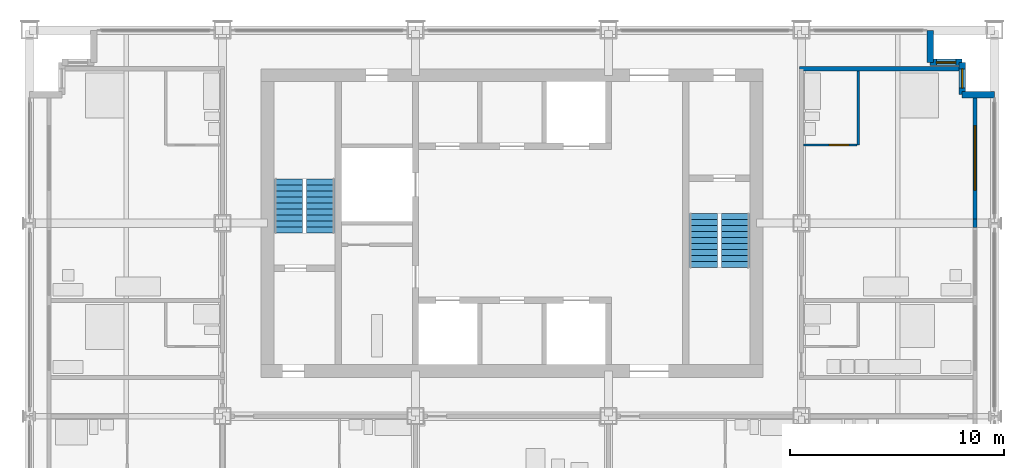
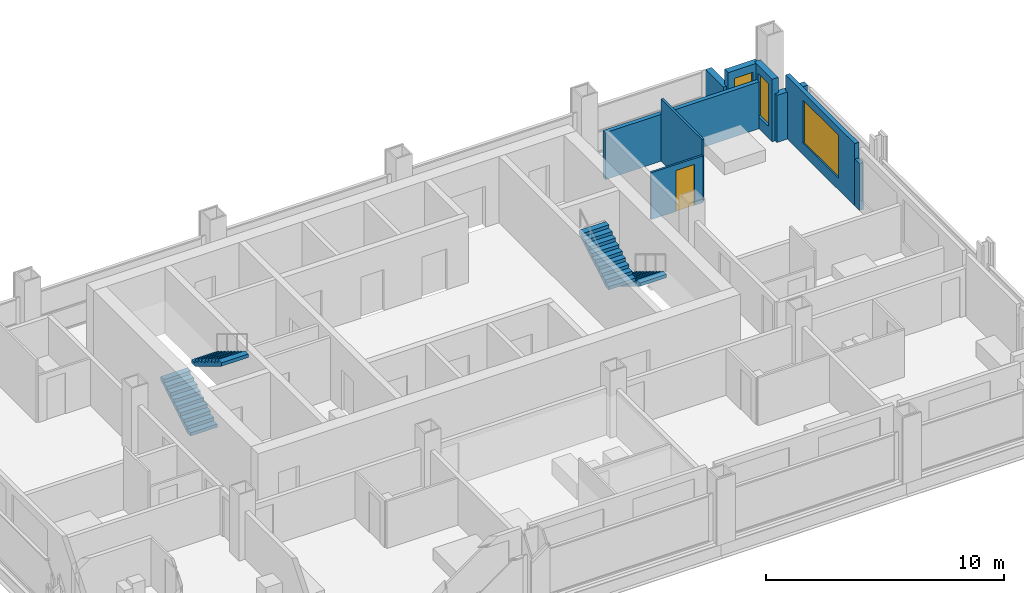
# One storey, part 10 of 13: 9 walls, 4 stair flights, 3 windows, 1 door, 4 openings, 2 elements without a shape of their own.
"""IFC4 building model written with IfcOpenShell, lengths in metres."""

from ifc_helpers import new_model, si_unit, direction, frame, frame_2d, origin, place, context, subcontext, project, spatial, polyline, rectangle, outline, extrude, material, layer, layer_set, type_object, element, fill, aggregate, save


model = new_model("IFC4")

# Units and contexts
model_context = context("Model", 3, precision=1e-05, world=origin(), true_north=direction((0.0, 1.0)))
body_context = subcontext(model_context, "Body", "Model", "MODEL_VIEW")
ifc_project = project(units=[si_unit("LENGTHUNIT", "METRE"), si_unit("AREAUNIT", "SQUARE_METRE"), si_unit("VOLUMEUNIT", "CUBIC_METRE"), si_unit("PLANEANGLEUNIT", "RADIAN"), si_unit("MASSUNIT", "GRAM", prefix="KILO")], contexts=[model_context])

# Site, building, storey
site_placement = place(None, origin())
site = spatial("IfcSite", under=ifc_project, at=site_placement, CompositionType="ELEMENT")
building_placement = place(site_placement, origin())
building = spatial("IfcBuilding", under=site, at=building_placement, Name="Loomwork Tower", CompositionType="ELEMENT")
storey_placement = place(building_placement, frame((0.0, 0.0, 177.39990234375)))
storey = spatial("IfcBuildingStorey", under=building, at=storey_placement, Name="L48", CompositionType="ELEMENT", Elevation=177.39990234375)

# Walls
ifc_material_1 = material(Name="Gypsum board on steel studs, one-hour", Category="steel")
ifc_layer_1 = layer(ifc_material_1, 0.199951171875)
ifc_layer_set_1 = layer_set([ifc_layer_1], Name="Corridor wall 200")
wall_type_1 = type_object("IfcWallType", Name="Corridor wall 200", PredefinedType="PARTITIONING", material=ifc_layer_set_1)
wall_1_placement = place(storey_placement, frame((35.89990234375, 25.199951171875, 0.0), z_axis=(0.0, 0.0, 1.0), x_axis=(1.0, 0.0, 0.0)))
element("IfcWall", 1, at=wall_1_placement, inside=storey, type_object=wall_type_1, Name="East band end wall N", PredefinedType="PARTITIONING", context=body_context, shape_type="SweptSolid", body=[
    extrude(rectangle(XDim=7.4501953125, YDim=0.199951171875, at=frame_2d((3.72509765625, 0.0))), origin(), (0.0, 0.0, 1.0), 2.404052734375),
])
ifc_material_2 = material(Name="Cement board on steel studs", Category="steel")
ifc_layer_2 = layer(ifc_material_2, 0.10009765625)
ifc_layer_set_2 = layer_set([ifc_layer_2], Name="En-suite partition 100")
wall_type_2 = type_object("IfcWallType", Name="En-suite partition 100", PredefinedType="PARTITIONING", material=ifc_layer_set_2)
wall_2_placement = place(storey_placement, frame((38.64990234375, 21.64990234375, 0.0), z_axis=(0.0, 0.0, 1.0), x_axis=(0.0, 1.0, 0.0)))
element("IfcWall", 2, at=wall_2_placement, inside=storey, type_object=wall_type_2, Name="En-suite wall L48 room 9", PredefinedType="PARTITIONING", context=body_context, shape_type="SweptSolid", body=[
    extrude(rectangle(XDim=3.4501953125, YDim=0.10009765625, at=frame_2d((1.72509765625, 0.0))), origin(), (0.0, 0.0, 1.0), 3.2001953125),
])

# Wall, opening, door
wall_3_placement = place(storey_placement, frame((36.10009765625, 21.64990234375, 0.0), z_axis=(0.0, 0.0, 1.0), x_axis=(1.0, 0.0, 0.0)))
wall_3 = element("IfcWall", 3, at=wall_3_placement, inside=storey, type_object=wall_type_2, Name="En-suite side wall L48 room 9", PredefinedType="PARTITIONING", context=body_context, shape_type="SweptSolid", body=[
    extrude(rectangle(XDim=2.5, YDim=0.10009765625, at=frame_2d((1.25, 0.0))), origin(), (0.0, 0.0, 1.0), 2.404052734375),
])
opening_1_placement = place(wall_3_placement, frame((1.199951171875, 0.0, 0.0)))
opening_1 = element("IfcOpeningElement", 4, at=opening_1_placement, cuts=wall_3, Name="Opening D2", PredefinedType="OPENING", context=body_context, shape_type="SweptSolid", body=[
    extrude(rectangle(XDim=0.89990234375, YDim=2.10009765625, at=frame_2d((0.449951171875, 1.050048828125))), frame((0.0, 0.06005859375, 0.0), z_axis=(0.0, -1.0, 0.0), x_axis=(1.0, 0.0, 0.0)), (0.0, 0.0, 1.0), 0.1201171875),
])
ifc_material_3 = material(Name="Hollow metal door and frame")
door_type = type_object("IfcDoorType", Name="En-suite door 900", OperationType="SINGLE_SWING_LEFT", PredefinedType="DOOR", material=ifc_material_3)
door_placement = place(opening_1_placement, origin())
door = element("IfcDoor", 5, at=door_placement, inside=storey, type_object=door_type, Name="En-suite door room 9", OperationType="SINGLE_SWING_RIGHT", OverallHeight=2.10009765625, OverallWidth=0.89990234375, PredefinedType="DOOR", context=body_context, shape_type="SweptSolid", body=[
    extrude(rectangle(XDim=0.89990234375, YDim=2.10009765625, at=frame_2d((0.449951171875, 1.050048828125))), frame((0.0, 0.02490234375, 0.0), z_axis=(0.0, -1.0, 0.0), x_axis=(1.0, 0.0, 0.0)), (0.0, 0.0, 1.0), 0.050048828125),
])
fill(opening_1, door)

# Wall
ifc_material_4 = material(Name="Insulated steel stud wall with gypsum lining", Category="steel")
ifc_layer_3 = layer(ifc_material_4, 0.199951171875)
ifc_layer_set_3 = layer_set([ifc_layer_3], Name="Inner skin wall 200")
wall_type_3 = type_object("IfcWallType", Name="Inner skin wall 200", PredefinedType="SOLIDWALL", material=ifc_layer_set_3)
wall_4_placement = place(storey_placement, frame((44.10009765625, 17.80615234375, 0.0), z_axis=(0.0, 0.0, 1.0), x_axis=(0.0, 1.0, 0.0)))
element("IfcWall", 6, at=wall_4_placement, inside=storey, type_object=wall_type_3, Name="Inner skin wall E bay 6", PredefinedType="SOLIDWALL", context=body_context, shape_type="SweptSolid", body=[
    extrude(rectangle(XDim=0.3876953125, YDim=0.199951171875, at=frame_2d((0.19384765625, 0.0))), origin(), (0.0, 0.0, 1.0), 2.404052734375),
])

# Wall, opening, window
wall_5_placement = place(storey_placement, frame((44.10009765625, 18.19384765625, 0.0), z_axis=(0.0, 0.0, 1.0), x_axis=(0.0, 1.0, 0.0)))
wall_5 = element("IfcWall", 7, at=wall_5_placement, inside=storey, type_object=wall_type_3, Name="Inner skin wall E bay 7", PredefinedType="SOLIDWALL", context=body_context, shape_type="SweptSolid", body=[
    extrude(rectangle(XDim=5.80615234375, YDim=0.199951171875, at=frame_2d((2.903076171875, 0.0))), origin(), (0.0, 0.0, 1.0), 3.2001953125),
])
opening_2_placement = place(wall_5_placement, frame((1.356201171875, 0.0, 0.60009765625)))
opening_2 = element("IfcOpeningElement", 8, at=opening_2_placement, cuts=wall_5, Name="Opening CH1", PredefinedType="OPENING", context=body_context, shape_type="SweptSolid", body=[
    extrude(rectangle(XDim=3.0, YDim=2.199951171875, at=frame_2d((1.5, 1.10009765625))), frame((0.0, 0.10986328125, 0.0), z_axis=(0.0, -1.0, 0.0), x_axis=(1.0, 0.0, 0.0)), (0.0, 0.0, 1.0), 0.219970703125),
])
ifc_material_5 = material(Name="Aluminium frame with clear insulated glass", Category="aluminium")
window_type_1 = type_object("IfcWindowType", Name="Chicago window 3000", PartitioningType="TRIPLE_PANEL_VERTICAL", PredefinedType="WINDOW", material=ifc_material_5)
window_1_placement = place(opening_2_placement, origin())
window_1 = element("IfcWindow", 9, at=window_1_placement, inside=storey, type_object=window_type_1, Name="Chicago window L48 bay 9", OverallHeight=2.199951171875, OverallWidth=3.0, PartitioningType="TRIPLE_PANEL_VERTICAL", PredefinedType="WINDOW", context=body_context, shape_type="SweptSolid", body=[
    extrude(rectangle(XDim=3.0, YDim=2.199951171875, at=frame_2d((1.5, 1.10009765625))), frame((0.0, 0.030029296875, 0.0), z_axis=(0.0, -1.0, 0.0), x_axis=(1.0, 0.0, 0.0)), (0.0, 0.0, 1.0), 0.06005859375),
])
fill(opening_2, window_1)

# Wall
ifc_material_6 = material(Name="Limestone on concrete masonry", Category="masonry")
ifc_layer_4 = layer(ifc_material_6, 0.300048828125)
ifc_layer_set_4 = layer_set([ifc_layer_4], Name="Limestone corner wall 300")
wall_type_4 = type_object("IfcWallType", Name="Limestone corner wall 300", PredefinedType="SOLIDWALL", material=ifc_layer_set_4)
wall_6_placement = place(storey_placement, frame((45.0, 24.0, 0.0), z_axis=(0.0, 0.0, 1.0), x_axis=(-1.0, 0.0, 0.0)))
element("IfcWall", 10, at=wall_6_placement, inside=storey, type_object=wall_type_4, Name="Stone corner wall NE 1", PredefinedType="SOLIDWALL", context=body_context, shape_type="SweptSolid", body=[
    extrude(rectangle(XDim=1.5, YDim=0.300048828125, at=frame_2d((0.75, 0.0))), origin(), (0.0, 0.0, 1.0), 2.420166015625),
])

# Wall, opening, window
wall_7_placement = place(storey_placement, frame((43.5, 24.0, 0.0), z_axis=(0.0, 0.0, 1.0), x_axis=(0.0, 1.0, 0.0)))
wall_7 = element("IfcWall", 11, at=wall_7_placement, inside=storey, type_object=wall_type_4, Name="Stone corner wall NE 2", PredefinedType="SOLIDWALL", context=body_context, shape_type="SweptSolid", body=[
    extrude(rectangle(XDim=1.5, YDim=0.300048828125, at=frame_2d((0.75, 0.0))), origin(), (0.0, 0.0, 1.0), 3.2001953125),
])
opening_3_placement = place(wall_7_placement, frame((0.300048828125, 0.0, 0.60009765625)))
opening_3 = element("IfcOpeningElement", 12, at=opening_3_placement, cuts=wall_7, Name="Opening CH2", PredefinedType="OPENING", context=body_context, shape_type="SweptSolid", body=[
    extrude(rectangle(XDim=0.89990234375, YDim=2.199951171875, at=frame_2d((0.449951171875, 1.10009765625))), frame((0.0, 0.159912109375, 0.0), z_axis=(0.0, -1.0, 0.0), x_axis=(1.0, 0.0, 0.0)), (0.0, 0.0, 1.0), 0.320068359375),
])
ifc_material_7 = material(Name="Aluminium frame with clear insulated glass", Category="aluminium")
window_type_2 = type_object("IfcWindowType", Name="Corner window 900", PartitioningType="SINGLE_PANEL", PredefinedType="WINDOW", material=ifc_material_7)
window_2_placement = place(opening_3_placement, origin())
window_2 = element("IfcWindow", 13, at=window_2_placement, inside=storey, type_object=window_type_2, Name="Corner window NE", OverallHeight=2.199951171875, OverallWidth=0.89990234375, PartitioningType="SINGLE_PANEL", PredefinedType="WINDOW", context=body_context, shape_type="SweptSolid", body=[
    extrude(rectangle(XDim=0.89990234375, YDim=2.199951171875, at=frame_2d((0.449951171875, 1.10009765625))), frame((0.0, 0.030029296875, 0.0), z_axis=(0.0, -1.0, 0.0), x_axis=(1.0, 0.0, 0.0)), (0.0, 0.0, 1.0), 0.06005859375),
])
fill(opening_3, window_2)

wall_8_placement = place(storey_placement, frame((43.5, 25.5, 0.0), z_axis=(0.0, 0.0, 1.0), x_axis=(-1.0, 0.0, 0.0)))
wall_8 = element("IfcWall", 14, at=wall_8_placement, inside=storey, type_object=wall_type_4, Name="Stone corner wall NE 3", PredefinedType="SOLIDWALL", context=body_context, shape_type="SweptSolid", body=[
    extrude(rectangle(XDim=1.5, YDim=0.300048828125, at=frame_2d((0.75, 0.0))), origin(), (0.0, 0.0, 1.0), 3.2001953125),
])
opening_4_placement = place(wall_8_placement, frame((0.300048828125, 0.0, 0.60009765625)))
opening_4 = element("IfcOpeningElement", 15, at=opening_4_placement, cuts=wall_8, Name="Opening CH2", PredefinedType="OPENING", context=body_context, shape_type="SweptSolid", body=[
    extrude(rectangle(XDim=0.89990234375, YDim=2.199951171875, at=frame_2d((0.449951171875, 1.10009765625))), frame((0.0, 0.159912109375, 0.0), z_axis=(0.0, -1.0, 0.0), x_axis=(1.0, 0.0, 0.0)), (0.0, 0.0, 1.0), 0.320068359375),
])
window_3_placement = place(opening_4_placement, origin())
window_3 = element("IfcWindow", 16, at=window_3_placement, inside=storey, type_object=window_type_2, Name="Corner window NE", OverallHeight=2.199951171875, OverallWidth=0.89990234375, PartitioningType="SINGLE_PANEL", PredefinedType="WINDOW", context=body_context, shape_type="SweptSolid", body=[
    extrude(rectangle(XDim=0.89990234375, YDim=2.199951171875, at=frame_2d((0.449951171875, 1.10009765625))), frame((0.0, 0.030029296875, 0.0), z_axis=(0.0, -1.0, 0.0), x_axis=(1.0, 0.0, 0.0)), (0.0, 0.0, 1.0), 0.06005859375),
])
fill(opening_4, window_3)

# Wall
wall_9_placement = place(storey_placement, frame((42.0, 25.5, 0.0), z_axis=(0.0, 0.0, 1.0), x_axis=(0.0, 1.0, 0.0)))
element("IfcWall", 17, at=wall_9_placement, inside=storey, type_object=wall_type_4, Name="Stone corner wall NE 4", PredefinedType="SOLIDWALL", context=body_context, shape_type="SweptSolid", body=[
    extrude(rectangle(XDim=1.5, YDim=0.300048828125, at=frame_2d((0.75, 0.0))), origin(), (0.0, 0.0, 1.0), 2.420166015625),
])

# Stair, stair flights
ifc_material_8 = material(Name="Concrete 5000 psi (34 MPa) precast stair", Category="concrete")
stair_type_1 = type_object("IfcStairType", Name="Stair ST-A 20 risers 2850 wide", PredefinedType="HALF_TURN_STAIR", material=ifc_material_8)
stair_1_placement = place(storey_placement, origin())
stair_1 = element("IfcStair", 18, at=stair_1_placement, inside=storey, type_object=stair_type_1, Name="Stair A L48", PredefinedType="HALF_TURN_STAIR")
ifc_material_9 = material(Name="Concrete 5000 psi (34 MPa) precast stair", Category="concrete")
stair_flight_type_1 = type_object("IfcStairFlightType", Name="Stair flight ST-A 10 risers 1300 wide", PredefinedType="STRAIGHT", material=ifc_material_9)
stair_flight_1_placement = place(storey_placement, frame((12.074951171875, 17.550048828125, 0.0), z_axis=(0.0, 0.0, 1.0), x_axis=(0.0, 1.0, 0.0)))
stair_flight_1 = element("IfcStairFlight", 19, at=stair_flight_1_placement, type_object=stair_flight_type_1, Name="ST-A flight 1", NumberOfRisers=10, NumberOfTreads=9, PredefinedType="STRAIGHT", RiserHeight=0.17, TreadLength=0.28, context=body_context, shape_type="SweptSolid", body=[
    extrude(outline(polyline([(0.0, 0.0), (0.0, 0.169921875), (0.280029296875, 0.169921875), (0.280029296875, 0.340087890625), (0.56005859375, 0.340087890625), (0.56005859375, 0.510009765625), (0.840087890625, 0.510009765625), (0.840087890625, 0.679931640625), (1.1201171875, 0.679931640625), (1.1201171875, 0.85009765625), (1.39990234375, 0.85009765625), (1.39990234375, 1.02001953125), (1.679931640625, 1.02001953125), (1.679931640625, 1.18994140625), (1.9599609375, 1.18994140625), (1.9599609375, 1.360107421875), (2.239990234375, 1.360107421875), (2.239990234375, 1.530029296875), (2.52001953125, 1.530029296875), (2.52001953125, 1.699951171875), (2.52001953125, 1.354736328125), (0.288818359375, 0.0), (0.0, 0.0)])), frame((0.0, 0.64990234375, 0.0), z_axis=(0.0, -1.0, 0.0), x_axis=(1.0, 0.0, 0.0)), (0.0, 0.0, 1.0), 1.300048828125),
])
stair_flight_2_placement = place(storey_placement, frame((13.574951171875, 20.070068359375, 1.7001953125), z_axis=(0.0, 0.0, 1.0), x_axis=(0.0, -1.0, 0.0)))
stair_flight_2 = element("IfcStairFlight", 20, at=stair_flight_2_placement, type_object=stair_flight_type_1, Name="ST-A flight 2", NumberOfRisers=10, NumberOfTreads=9, PredefinedType="STRAIGHT", RiserHeight=0.17, TreadLength=0.28, context=body_context, shape_type="SweptSolid", body=[
    extrude(outline(polyline([(0.0, 0.0), (0.0, 0.169921875), (0.280029296875, 0.169921875), (0.280029296875, 0.340087890625), (0.56005859375, 0.340087890625), (0.56005859375, 0.510009765625), (0.840087890625, 0.510009765625), (0.840087890625, 0.679931640625), (1.1201171875, 0.679931640625), (1.1201171875, 0.85009765625), (1.39990234375, 0.85009765625), (1.39990234375, 1.02001953125), (1.679931640625, 1.02001953125), (1.679931640625, 1.18994140625), (1.9599609375, 1.18994140625), (1.9599609375, 1.360107421875), (2.239990234375, 1.360107421875), (2.239990234375, 1.530029296875), (2.52001953125, 1.530029296875), (2.52001953125, 1.699951171875), (2.52001953125, 1.354736328125), (0.288818359375, 0.0), (0.0, 0.0)])), frame((0.0, 0.64990234375, 0.0), z_axis=(0.0, -1.0, 0.0), x_axis=(1.0, 0.0, 0.0)), (0.0, 0.0, 1.0), 1.300048828125),
])
aggregate(stair_1, [stair_flight_1, stair_flight_2])

ifc_material_10 = material(Name="Concrete 5000 psi (34 MPa) precast stair", Category="concrete")
stair_type_2 = type_object("IfcStairType", Name="Stair ST-B 20 risers 2850 wide", PredefinedType="HALF_TURN_STAIR", material=ifc_material_10)
stair_2_placement = place(storey_placement, origin())
stair_2 = element("IfcStair", 21, at=stair_2_placement, inside=storey, type_object=stair_type_2, Name="Stair B L48", PredefinedType="HALF_TURN_STAIR")
ifc_material_11 = material(Name="Concrete 5000 psi (34 MPa) precast stair", Category="concrete")
stair_flight_type_2 = type_object("IfcStairFlightType", Name="Stair flight ST-B 10 risers 1300 wide", PredefinedType="STRAIGHT", material=ifc_material_11)
stair_flight_3_placement = place(storey_placement, frame((32.925048828125, 18.449951171875, 0.0), z_axis=(0.0, 0.0, 1.0), x_axis=(0.0, -1.0, 0.0)))
stair_flight_3 = element("IfcStairFlight", 22, at=stair_flight_3_placement, type_object=stair_flight_type_2, Name="ST-B flight 1", NumberOfRisers=10, NumberOfTreads=9, PredefinedType="STRAIGHT", RiserHeight=0.17, TreadLength=0.28, context=body_context, shape_type="SweptSolid", body=[
    extrude(outline(polyline([(0.0, 0.0), (0.0, 0.169921875), (0.280029296875, 0.169921875), (0.280029296875, 0.340087890625), (0.56005859375, 0.340087890625), (0.56005859375, 0.510009765625), (0.840087890625, 0.510009765625), (0.840087890625, 0.679931640625), (1.1201171875, 0.679931640625), (1.1201171875, 0.85009765625), (1.39990234375, 0.85009765625), (1.39990234375, 1.02001953125), (1.679931640625, 1.02001953125), (1.679931640625, 1.18994140625), (1.9599609375, 1.18994140625), (1.9599609375, 1.360107421875), (2.239990234375, 1.360107421875), (2.239990234375, 1.530029296875), (2.52001953125, 1.530029296875), (2.52001953125, 1.699951171875), (2.52001953125, 1.354736328125), (0.288818359375, 0.0), (0.0, 0.0)])), frame((0.0, 0.64990234375, 0.0), z_axis=(0.0, -1.0, 0.0), x_axis=(1.0, 0.0, 0.0)), (0.0, 0.0, 1.0), 1.300048828125),
])
stair_flight_4_placement = place(storey_placement, frame((31.425048828125, 15.929931640625, 1.7001953125), z_axis=(0.0, 0.0, 1.0), x_axis=(0.0, 1.0, 0.0)))
stair_flight_4 = element("IfcStairFlight", 23, at=stair_flight_4_placement, type_object=stair_flight_type_2, Name="ST-B flight 2", NumberOfRisers=10, NumberOfTreads=9, PredefinedType="STRAIGHT", RiserHeight=0.17, TreadLength=0.28, context=body_context, shape_type="SweptSolid", body=[
    extrude(outline(polyline([(0.0, 0.0), (0.0, 0.169921875), (0.280029296875, 0.169921875), (0.280029296875, 0.340087890625), (0.56005859375, 0.340087890625), (0.56005859375, 0.510009765625), (0.840087890625, 0.510009765625), (0.840087890625, 0.679931640625), (1.1201171875, 0.679931640625), (1.1201171875, 0.85009765625), (1.39990234375, 0.85009765625), (1.39990234375, 1.02001953125), (1.679931640625, 1.02001953125), (1.679931640625, 1.18994140625), (1.9599609375, 1.18994140625), (1.9599609375, 1.360107421875), (2.239990234375, 1.360107421875), (2.239990234375, 1.530029296875), (2.52001953125, 1.530029296875), (2.52001953125, 1.699951171875), (2.52001953125, 1.354736328125), (0.288818359375, 0.0), (0.0, 0.0)])), frame((0.0, 0.64990234375, 0.0), z_axis=(0.0, -1.0, 0.0), x_axis=(1.0, 0.0, 0.0)), (0.0, 0.0, 1.0), 1.300048828125),
])
aggregate(stair_2, [stair_flight_3, stair_flight_4])

save(model, "model.ifc")
